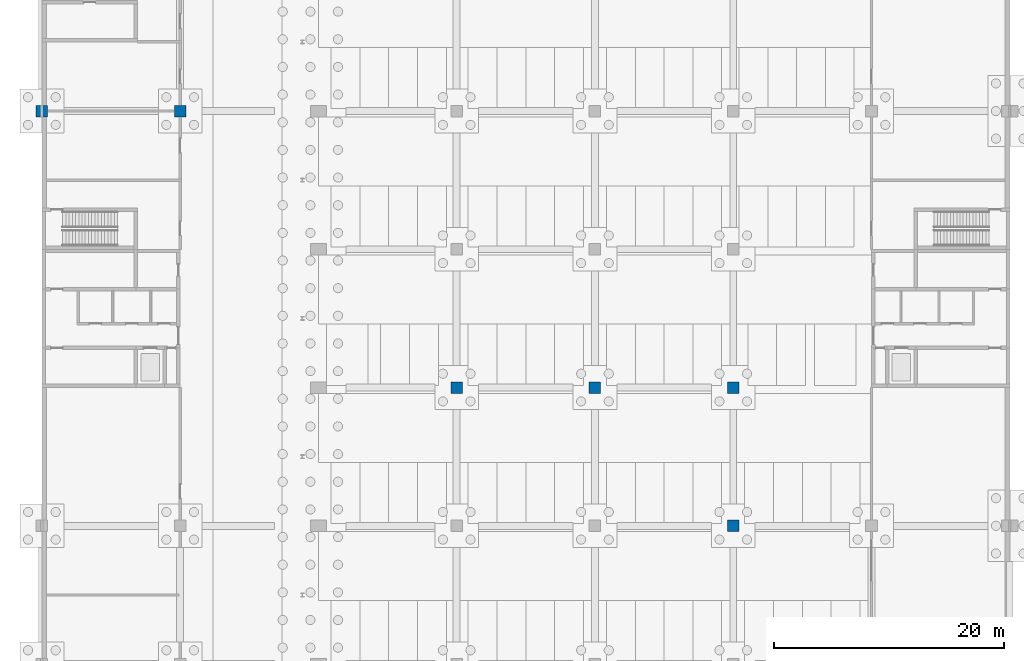
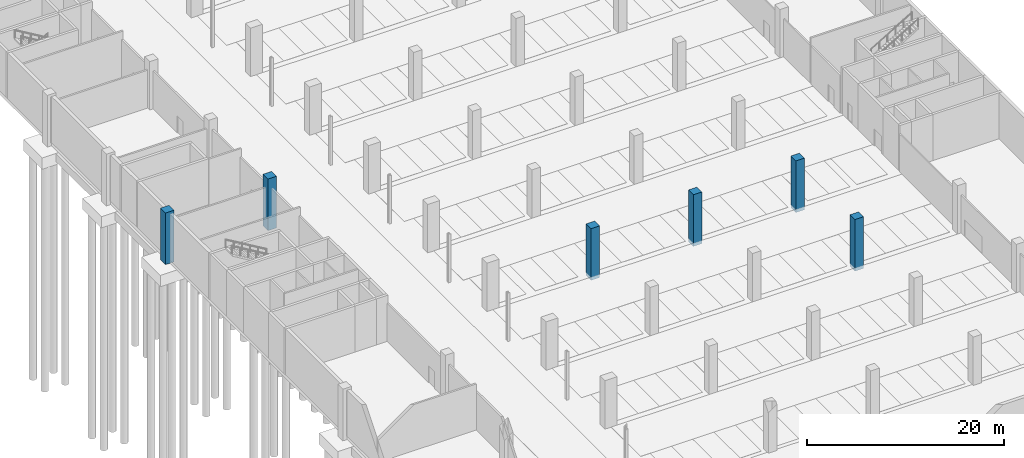
# One storey, part 10 of 34: 6 columns.
"""IFC4 building model written with IfcOpenShell, lengths in metres."""

from ifc_helpers import new_model, si_unit, direction, frame, origin, origin_2d, place, context, subcontext, project, spatial, rectangle, extrude, material, material_profile, profile_set, type_object, element, save


model = new_model("IFC4")

# Units and contexts
model_context = context("Model", 3, precision=1e-05, world=origin(), true_north=direction((0.0, 1.0)))
body_context = subcontext(model_context, "Body", "Model", "MODEL_VIEW")
ifc_project = project(units=[si_unit("LENGTHUNIT", "METRE"), si_unit("AREAUNIT", "SQUARE_METRE"), si_unit("VOLUMEUNIT", "CUBIC_METRE"), si_unit("PLANEANGLEUNIT", "RADIAN"), si_unit("MASSUNIT", "GRAM", prefix="KILO")], contexts=[model_context])

# Site, building, storey
site_placement = place(None, origin())
site = spatial("IfcSite", under=ifc_project, at=site_placement, CompositionType="ELEMENT")
building_placement = place(site_placement, origin())
building = spatial("IfcBuilding", under=site, at=building_placement, Name="Lilac Gate Convention Centre", CompositionType="ELEMENT")
storey_placement = place(building_placement, frame((0.0, 0.0, -6.0)))
storey = spatial("IfcBuildingStorey", under=building, at=storey_placement, Name="B1", CompositionType="ELEMENT", Elevation=-6.0)

# Columns
ifc_material = material(Name="Concrete C40", Category="concrete")
ifc_material_profile = material_profile(ifc_material, rectangle(XDim=1.0, YDim=1.0, at=origin_2d()), Name="RC 1000x1000")
ifc_profile_set = profile_set([ifc_material_profile], Name="Concrete C40")
column_type = type_object("IfcColumnType", Name="RC column 1000x1000 C40", PredefinedType="COLUMN", material=ifc_profile_set)
for number, where, z_axis, x_axis, name in (
    (1, (6.0, 174.0, -0.39990234375), (0.0, 0.0, 1.0), (1.0, 0.0, 0.0), "C1 B1 at 1/N"),
    (2, (18.0, 174.0, -0.39990234375), (0.0, 0.0, 1.0), (1.0, 0.0, 0.0), "C1 B1 at 2/N"),
    (3, (42.0, 150.0, -0.39990234375), (0.0, 0.0, 1.0), (1.0, 0.0, 0.0), "C1 B1 at 4/L"),
    (4, (54.0, 150.0, -0.39990234375), (0.0, 0.0, 1.0), (1.0, 0.0, 0.0), "C1 B1 at 5/L"),
    (5, (66.0, 138.0, -0.39990234375), (0.0, 0.0, 1.0), (1.0, 0.0, 0.0), "C1 B1 at 6/K"),
    (6, (66.0, 150.0, -0.39990234375), (0.0, 0.0, 1.0), (1.0, 0.0, 0.0), "C1 B1 at 6/L"),
):
    element("IfcColumn", number, at=place(storey_placement, frame(where, z_axis=z_axis, x_axis=x_axis)), inside=storey, type_object=column_type, Name=name, PredefinedType="COLUMN", context=body_context, shape_type="SweptSolid", body=[
        extrude(rectangle(XDim=1.0, YDim=1.0, at=origin_2d()), origin(), (0.0, 0.0, 1.0), 6.39990234375),
    ])

save(model, "model.ifc")
